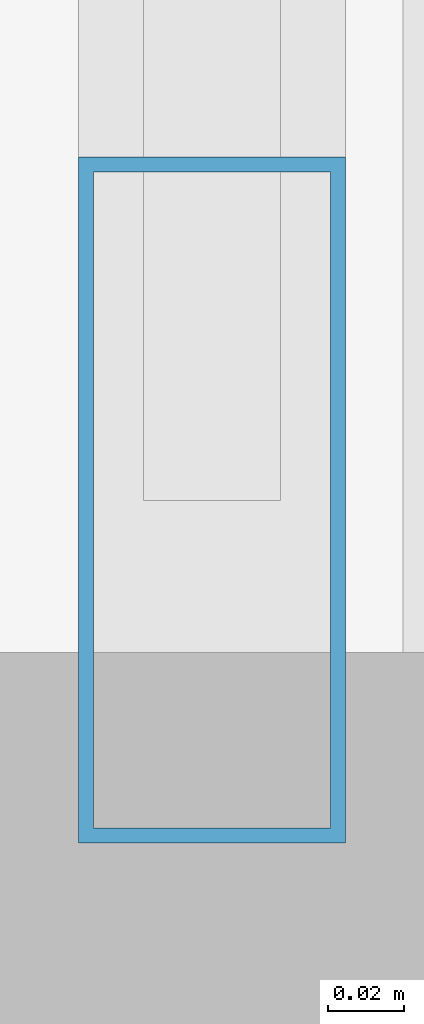
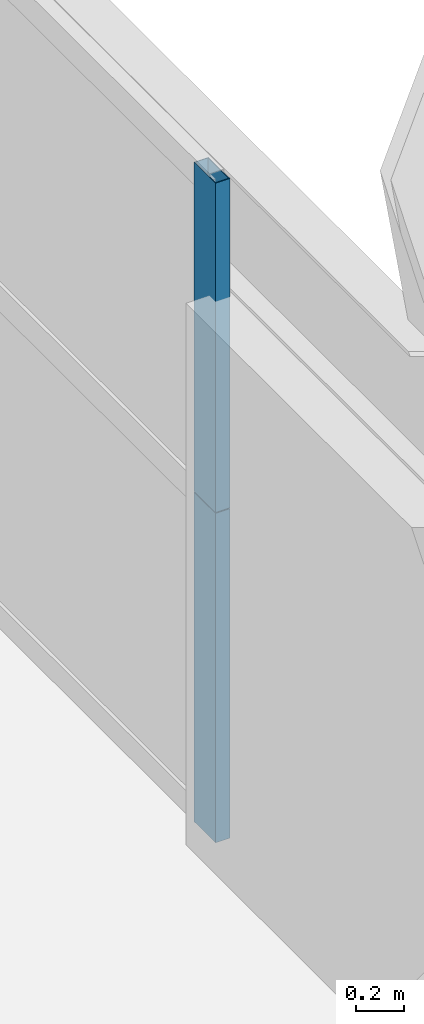
# One storey, part 17 of 43: 2 members, 1 element without a shape of its own.
"""IFC4 building model written with IfcOpenShell, lengths in metres."""

from ifc_helpers import new_model, si_unit, direction, frame, origin, origin_2d, place, context, subcontext, project, spatial, hollow_rectangle, extrude, source, transform, mapped, material, layer, layer_set, material_profile, profile_set, type_object, element, aggregate, save


model = new_model("IFC4")

# Units and contexts
model_context = context("Model", 3, precision=1e-05, world=origin(), true_north=direction((0.0, 1.0)))
body_context = subcontext(model_context, "Body", "Model", "MODEL_VIEW")
ifc_project = project(units=[si_unit("LENGTHUNIT", "METRE"), si_unit("AREAUNIT", "SQUARE_METRE"), si_unit("VOLUMEUNIT", "CUBIC_METRE"), si_unit("PLANEANGLEUNIT", "RADIAN"), si_unit("MASSUNIT", "GRAM", prefix="KILO"), si_unit("THERMODYNAMICTEMPERATUREUNIT", "KELVIN"), si_unit("POWERUNIT", "WATT")], contexts=[model_context])

# Site, building, storey
site_placement = place(None, origin())
site = spatial("IfcSite", under=ifc_project, at=site_placement, CompositionType="ELEMENT")
building_placement = place(site_placement, origin())
building = spatial("IfcBuilding", under=site, at=building_placement, Name="Yuzanri Waterfront Tower", CompositionType="ELEMENT")
storey_placement = place(building_placement, frame((0.0, 0.0, 53.199951171875)))
storey = spatial("IfcBuildingStorey", under=building, at=storey_placement, Name="L13", CompositionType="ELEMENT", Elevation=53.199951171875)

# Curtain wall, members
ifc_material_1 = material(Name="Anodized Architectural Bronze", Category="metal")
ifc_layer = layer(ifc_material_1, 0.159912109375)
ifc_layer_set = layer_set([ifc_layer], Name="Anodized Architectural Bronze")
curtain_wall_type = type_object("IfcCurtainWallType", Name="Anodized Bronze Hotel Lower-Tier Recessed Unitized Curtain Wall 8100", PredefinedType="NOTDEFINED", material=ifc_layer_set)
curtain_wall_placement = place(storey_placement, origin())
curtain_wall = element("IfcCurtainWall", 1, at=curtain_wall_placement, inside=storey, type_object=curtain_wall_type, Name="L13 Curtain Wall CW-L13-EL", PredefinedType="NOTDEFINED")
ifc_material_2 = material(Name="Anodized Architectural Bronze", Category="metal")
ifc_material_profile = material_profile(ifc_material_2, hollow_rectangle(XDim=0.070068359375, YDim=0.179931640625, WallThickness=0.00390625, at=origin_2d()), Name="CWM 70x180")
ifc_profile_set = profile_set([ifc_material_profile], Name="Anodized Architectural Bronze")
member_type = type_object("IfcMemberType", Name="Anodized Bronze Standard Curtain-Wall Mullion 70x180", PredefinedType="MULLION", material=ifc_profile_set)
shared_shape = source(origin(), body_context, "Body", "SweptSolid", [
    extrude(hollow_rectangle(XDim=0.070068359375, YDim=0.179931640625, WallThickness=0.00390625, at=origin_2d()), origin(), (0.0, 0.0, 1.0), 1.68798828125),
])
member_1_placement = place(storey_placement, frame((61.949951171875, 8.090087890625, 0.0), z_axis=(0.0, 0.0, 1.0), x_axis=(1.0, 0.0, 0.0)))
member_1 = element("IfcMember", 2, at=member_1_placement, type_object=member_type, Name="CW-L13-EL Lower Mullion 00", PredefinedType="MULLION", context=body_context, shape_type="MappedRepresentation", body=[
    mapped(shared_shape, transform((0.0, 0.0, 0.0), scale=1.0)),
])
member_2_placement = place(storey_placement, frame((61.949951171875, 8.090087890625, 1.692138671875), z_axis=(0.0, 0.0, 1.0), x_axis=(1.0, 0.0, 0.0)))
member_2 = element("IfcMember", 3, at=member_2_placement, type_object=member_type, Name="CW-L13-EL Upper Mullion 00", PredefinedType="MULLION", context=body_context, shape_type="MappedRepresentation", body=[
    mapped(shared_shape, transform((0.0, 0.0, 0.0), scale=1.0)),
])
aggregate(curtain_wall, [member_1, member_2])

save(model, "model.ifc")
